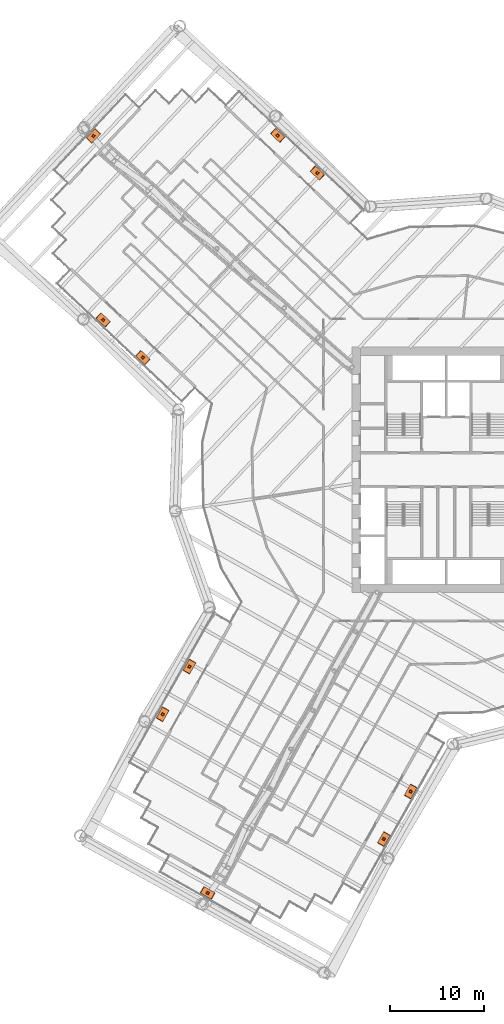
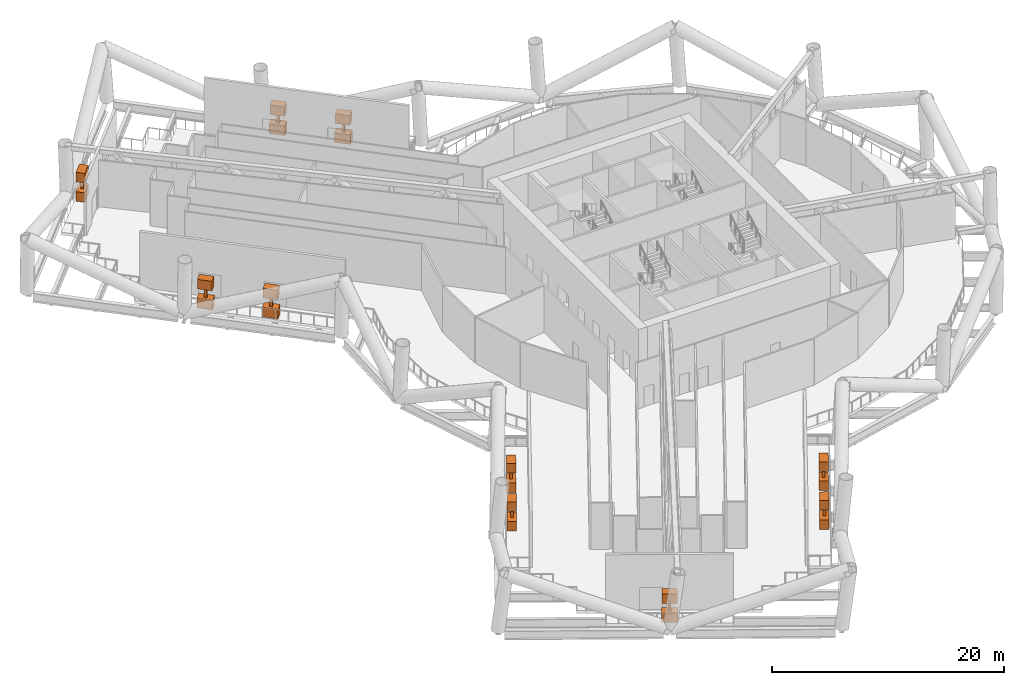
# One storey, part 39 of 39: 30 proxies.
"""IFC4 building model written with IfcOpenShell, lengths in metres."""

from ifc_helpers import new_model, si_unit, direction, frame, origin, origin_2d, place, context, subcontext, project, spatial, rectangle, extrude, material, type_object, element, save


model = new_model("IFC4")

# Units and contexts
model_context = context("Model", 3, precision=1e-05, world=origin(), true_north=direction((0.0, 1.0)))
body_context = subcontext(model_context, "Body", "Model", "MODEL_VIEW")
ifc_project = project(units=[si_unit("LENGTHUNIT", "METRE"), si_unit("AREAUNIT", "SQUARE_METRE"), si_unit("VOLUMEUNIT", "CUBIC_METRE"), si_unit("PLANEANGLEUNIT", "RADIAN"), si_unit("MASSUNIT", "GRAM", prefix="KILO")], contexts=[model_context])

# Site, building, storey
site_placement = place(None, origin())
site = spatial("IfcSite", under=ifc_project, at=site_placement, CompositionType="ELEMENT")
building_placement = place(site_placement, origin())
building = spatial("IfcBuilding", under=site, at=building_placement, Name="Tarsis Ring Headquarters", CompositionType="ELEMENT")
storey_placement = place(building_placement, frame((0.0, 0.0, 86.800048828125)))
storey = spatial("IfcBuildingStorey", under=building, at=storey_placement, Name="L19", CompositionType="ELEMENT", Elevation=86.800048828125)

# Proxies
ifc_material_1 = material(Name="Tree canopy foliage")
building_element_proxy_type_1 = type_object("IfcBuildingElementProxyType", Name="Tree canopy", PredefinedType="USERDEFINED", material=ifc_material_1)
for number, where, z_axis, x_axis, name in (
    (1, (-36.3447265625, 15.875732421875, 2.0), (0.0, 0.0, 1.0), (0.726334775928, -0.687341104022, 0.0), "Tree canopy L19-01.2"),
    (2, (-32.136962890625, 11.89404296875, 2.0), (0.0, 0.0, 1.0), (0.726334775928, -0.687341104022, 0.0), "Tree canopy L19-01.3"),
    (3, (-27.197265625, -20.846435546875, 2.0), (0.0, 0.0, 1.0), (-0.491207804286, -0.871042417456, 0.0), "Tree canopy L19-06.2"),
    (4, (-30.042724609375, -25.892333984375, 2.0), (0.0, 0.0, 1.0), (-0.491207804286, -0.871042417456, 0.0), "Tree canopy L19-06.3"),
    (5, (-25.272705078125, -44.815185546875, 2.0), (0.0, 0.0, 1.0), (0.87104240031, -0.491207834691, 0.0), "Tree canopy L19-11.2"),
    (6, (-6.615478515625, -39.112548828125, 2.0), (0.0, 0.0, 1.0), (0.491207865096, 0.871042383164, 0.0), "Tree canopy L19-16.2"),
    (7, (-3.7724609375, -34.071044921875, 2.0), (0.0, 0.0, 1.0), (0.491207865096, 0.871042383164, 0.0), "Tree canopy L19-16.3"),
    (8, (-13.656982421875, 31.44140625, 2.0), (0.0, 0.0, 1.0), (-0.726334811917, 0.687341065991, 0.0), "Tree canopy L19-31.2"),
    (9, (-17.86083984375, 35.419677734375, 2.0), (0.0, 0.0, 1.0), (-0.726334811917, 0.687341065991, 0.0), "Tree canopy L19-31.3"),
    (10, (-37.369873046875, 35.36376953125, 2.0), (0.0, 0.0, 1.0), (-0.687341091345, -0.726334787924, 0.0), "Tree canopy L19-36.2"),
):
    element("IfcBuildingElementProxy", number, at=place(storey_placement, frame(where, z_axis=z_axis, x_axis=x_axis)), inside=storey, type_object=building_element_proxy_type_1, Name=name, ObjectType="Tree canopy", PredefinedType="USERDEFINED", context=body_context, shape_type="SweptSolid", body=[
        extrude(rectangle(XDim=1.300048828125, YDim=0.800048828125, at=origin_2d()), origin(), (0.0, 0.0, 1.0), 1.0),
    ])
ifc_material_2 = material(Name="Planter soil mix and tree")
building_element_proxy_type_2 = type_object("IfcBuildingElementProxyType", Name="Tree planter", PredefinedType="USERDEFINED", material=ifc_material_2)
for number, where, z_axis, x_axis, name in (
    (11, (-36.3447265625, 15.875732421875, 0.0), (0.0, 0.0, 1.0), (0.726334775928, -0.687341104022, 0.0), "Tree planter L19-01.2"),
    (12, (-32.136962890625, 11.89404296875, 0.0), (0.0, 0.0, 1.0), (0.726334775928, -0.687341104022, 0.0), "Tree planter L19-01.3"),
    (13, (-27.197265625, -20.846435546875, 0.0), (0.0, 0.0, 1.0), (-0.491207804286, -0.871042417456, 0.0), "Tree planter L19-06.2"),
    (14, (-30.042724609375, -25.892333984375, 0.0), (0.0, 0.0, 1.0), (-0.491207804286, -0.871042417456, 0.0), "Tree planter L19-06.3"),
    (15, (-25.272705078125, -44.815185546875, 0.0), (0.0, 0.0, 1.0), (0.87104240031, -0.491207834691, 0.0), "Tree planter L19-11.2"),
    (16, (-6.615478515625, -39.112548828125, 0.0), (0.0, 0.0, 1.0), (0.491207865096, 0.871042383164, 0.0), "Tree planter L19-16.2"),
    (17, (-3.7724609375, -34.071044921875, 0.0), (0.0, 0.0, 1.0), (0.491207865096, 0.871042383164, 0.0), "Tree planter L19-16.3"),
    (18, (-13.656982421875, 31.44140625, 0.0), (0.0, 0.0, 1.0), (-0.726334811917, 0.687341065991, 0.0), "Tree planter L19-31.2"),
    (19, (-17.86083984375, 35.419677734375, 0.0), (0.0, 0.0, 1.0), (-0.726334811917, 0.687341065991, 0.0), "Tree planter L19-31.3"),
    (20, (-37.369873046875, 35.36376953125, 0.0), (0.0, 0.0, 1.0), (-0.687341091345, -0.726334787924, 0.0), "Tree planter L19-36.2"),
):
    element("IfcBuildingElementProxy", number, at=place(storey_placement, frame(where, z_axis=z_axis, x_axis=x_axis)), inside=storey, type_object=building_element_proxy_type_2, Name=name, ObjectType="Planter", PredefinedType="USERDEFINED", context=body_context, shape_type="SweptSolid", body=[
        extrude(rectangle(XDim=1.39990234375, YDim=0.800048828125, at=origin_2d()), origin(), (0.0, 0.0, 1.0), 1.0),
    ])
ifc_material_3 = material(Name="Tree trunk timber", Category="wood")
building_element_proxy_type_3 = type_object("IfcBuildingElementProxyType", Name="Tree trunk", PredefinedType="USERDEFINED", material=ifc_material_3)
for number, where, z_axis, x_axis, name in (
    (21, (-36.3447265625, 15.875732421875, 1.0), (0.0, 0.0, 1.0), (0.726334775928, -0.687341104022, 0.0), "Tree trunk L19-01.2"),
    (22, (-32.136962890625, 11.89404296875, 1.0), (0.0, 0.0, 1.0), (0.726334775928, -0.687341104022, 0.0), "Tree trunk L19-01.3"),
    (23, (-27.197265625, -20.846435546875, 1.0), (0.0, 0.0, 1.0), (-0.491207804286, -0.871042417456, 0.0), "Tree trunk L19-06.2"),
    (24, (-30.042724609375, -25.892333984375, 1.0), (0.0, 0.0, 1.0), (-0.491207804286, -0.871042417456, 0.0), "Tree trunk L19-06.3"),
    (25, (-25.272705078125, -44.815185546875, 1.0), (0.0, 0.0, 1.0), (0.87104240031, -0.491207834691, 0.0), "Tree trunk L19-11.2"),
    (26, (-6.615478515625, -39.112548828125, 1.0), (0.0, 0.0, 1.0), (0.491207865096, 0.871042383164, 0.0), "Tree trunk L19-16.2"),
    (27, (-3.7724609375, -34.071044921875, 1.0), (0.0, 0.0, 1.0), (0.491207865096, 0.871042383164, 0.0), "Tree trunk L19-16.3"),
    (28, (-13.656982421875, 31.44140625, 1.0), (0.0, 0.0, 1.0), (-0.726334811917, 0.687341065991, 0.0), "Tree trunk L19-31.2"),
    (29, (-17.86083984375, 35.419677734375, 1.0), (0.0, 0.0, 1.0), (-0.726334811917, 0.687341065991, 0.0), "Tree trunk L19-31.3"),
    (30, (-37.369873046875, 35.36376953125, 1.0), (0.0, 0.0, 1.0), (-0.687341091345, -0.726334787924, 0.0), "Tree trunk L19-36.2"),
):
    element("IfcBuildingElementProxy", number, at=place(storey_placement, frame(where, z_axis=z_axis, x_axis=x_axis)), inside=storey, type_object=building_element_proxy_type_3, Name=name, ObjectType="Tree trunk", PredefinedType="USERDEFINED", context=body_context, shape_type="SweptSolid", body=[
        extrude(rectangle(XDim=0.25, YDim=0.25, at=origin_2d()), origin(), (0.0, 0.0, 1.0), 1.0),
    ])

save(model, "model.ifc")
